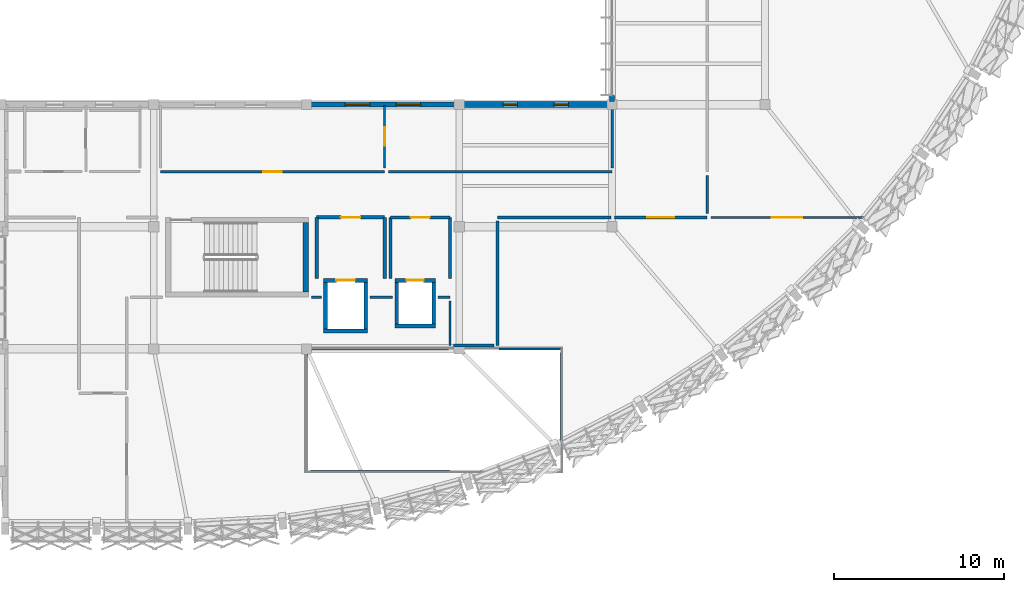
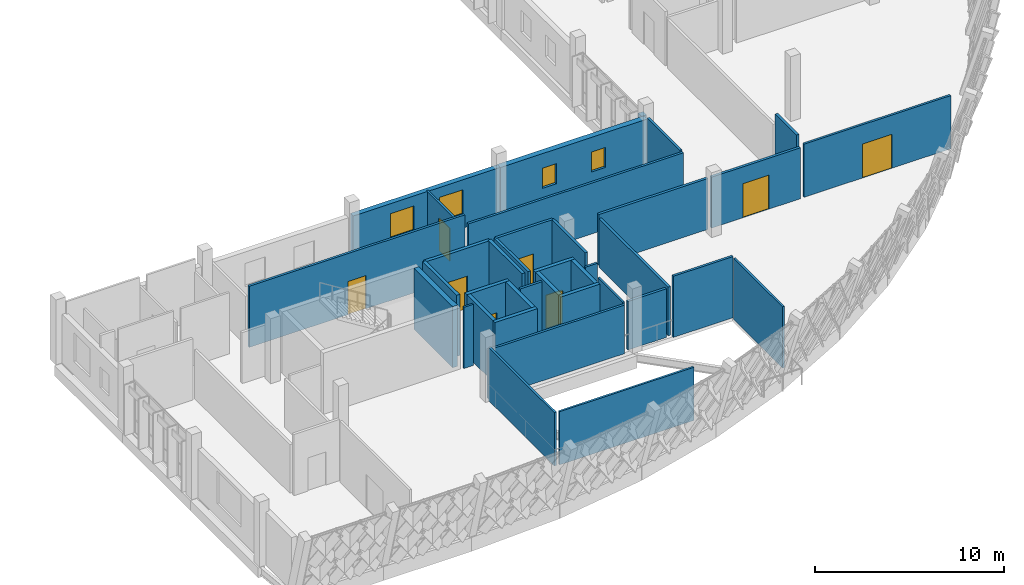
# One storey, part 96 of 107: 37 walls, 8 doors, 4 windows, 12 openings.
"""IFC4 building model written with IfcOpenShell, lengths in metres."""

import ifcopenshell
import ifcopenshell.guid

model = None  # the IFC model being written
_history = None  # IfcOwnerHistory: only IFC2X3 demands one
_inside = {}  # id of a spatial element -> (the spatial element, [elements in it])
_under = {}  # id of a project, library or spatial element -> (it, [spatial elements below it])
_declared = {}  # id of a project -> (the project, [libraries it declares])
_typed = {}  # id of a type object -> (the type object, [elements of that type])
_made_of = {}  # id of a material, layer set ... -> (it, [elements and type objects made of it])


def new_model(schema):
    """Start an empty IFC model of exactly this schema.

    Asked for "IFC4X3", IfcOpenShell would pick the latest addendum, in which some entities
    have other attributes; the version numbers below select the first issue.
    IFC2X3 requires an IfcOwnerHistory on every rooted entity: one is made here for all.
    """
    global model, _history
    if schema == "IFC4X3":
        model = ifcopenshell.file(schema_version=(4, 3, 0, 0))
    else:
        model = ifcopenshell.file(schema=schema)
    _inside.clear()
    _under.clear()
    _declared.clear()
    _typed.clear()
    _made_of.clear()
    _history = None
    if model.schema == "IFC2X3":
        org = make("IfcOrganization", Name="unknown")
        user = make(
            "IfcPersonAndOrganization",
            ThePerson=make("IfcPerson", FamilyName="unknown"),
            TheOrganization=org,
        )
        app = make(
            "IfcApplication",
            ApplicationDeveloper=org,
            Version="unknown",
            ApplicationFullName="unknown",
            ApplicationIdentifier="unknown",
        )
        _history = make(
            "IfcOwnerHistory",
            OwningUser=user,
            OwningApplication=app,
            ChangeAction="ADDED",
            CreationDate=0,
        )
    return model


def make(cls, **values):
    """One entity of the class cls with the attributes given. An attribute that is None is left unset."""
    return model.create_entity(
        cls, **{name: value for name, value in values.items() if value is not None}
    )


def rooted(cls, **values):
    """An entity with a GlobalId (a new one), such as an element, a storey or a relation."""
    return make(cls, GlobalId=ifcopenshell.guid.new(), OwnerHistory=_history, **values)


def si_unit(unit_type, name, prefix=None):
    """IfcSIUnit, for example si_unit("LENGTHUNIT", "METRE", prefix="MILLI")."""
    return make("IfcSIUnit", UnitType=unit_type, Prefix=prefix, Name=name)


def assignment(units):
    """IfcUnitAssignment: the units of a project."""
    return None if units is None else make("IfcUnitAssignment", Units=units)


def point(xyz):
    """IfcCartesianPoint."""
    return None if xyz is None else make("IfcCartesianPoint", Coordinates=xyz)


def direction(xyz):
    """IfcDirection."""
    return None if xyz is None else make("IfcDirection", DirectionRatios=xyz)


def frame(location, z_axis=None, x_axis=None):
    """IfcAxis2Placement3D, a coordinate frame: its origin and axes. An axis left out is left unset."""
    return make(
        "IfcAxis2Placement3D",
        Location=point(location),
        Axis=direction(z_axis),
        RefDirection=direction(x_axis),
    )


def frame_2d(location, x_axis=None):
    """IfcAxis2Placement2D, a coordinate frame in the plane: its origin and x axis."""
    return make(
        "IfcAxis2Placement2D", Location=point(location), RefDirection=direction(x_axis)
    )


def origin():
    """The frame at (0, 0, 0) with its axes left unset."""
    return frame((0.0, 0.0, 0.0))


def place(relative_to, where):
    """IfcLocalPlacement: puts the frame where relative to a parent placement (None: the world)."""
    return make(
        "IfcLocalPlacement", PlacementRelTo=relative_to, RelativePlacement=where
    )


def context(
    kind, dimensions, precision=None, world=None, true_north=None, identifier=None
):
    """IfcGeometricRepresentationContext, for example the 3D "Model" context."""
    return make(
        "IfcGeometricRepresentationContext",
        ContextIdentifier=identifier,
        ContextType=kind,
        CoordinateSpaceDimension=dimensions,
        Precision=precision,
        WorldCoordinateSystem=world,
        TrueNorth=true_north,
    )


def subcontext(parent, identifier, kind, view, scale=None):
    """IfcGeometricRepresentationSubContext, for example "Body" below "Model"."""
    return make(
        "IfcGeometricRepresentationSubContext",
        ContextIdentifier=identifier,
        ContextType=kind,
        ParentContext=parent,
        TargetScale=scale,
        TargetView=view,
    )


def project(units=None, contexts=None):
    """IfcProject with its units and contexts."""
    return rooted(
        "IfcProject",
        Name="project",
        RepresentationContexts=contexts,
        UnitsInContext=assignment(units),
    )


def spatial(cls, under=None, at=None, **own):
    """A site, building, storey or space (cls), placed at a placement, below another one or the project."""
    s = rooted(cls, ObjectPlacement=at, **own)
    if under is not None:
        _under.setdefault(under.id(), (under, []))[1].append(s)
    return s


def profile(cls, at=None, kind="AREA", **sizes):
    """A parametric profile (cls). Its sizes go by their IFC names, for example OverallWidth=200.0."""
    return make(cls, ProfileType=kind, Position=at, **sizes)


def rectangle(**sizes):
    """IfcRectangleProfileDef."""
    return profile("IfcRectangleProfileDef", **sizes)


def extrude(swept, where, along, depth):
    """IfcExtrudedAreaSolid: the profile swept, set in the frame where, extruded along a direction by depth."""
    return make(
        "IfcExtrudedAreaSolid",
        SweptArea=swept,
        Position=where,
        ExtrudedDirection=direction(along),
        Depth=depth,
    )


def shape(context_of_items, identifier, shape_type, items):
    """IfcShapeRepresentation: the items that make up one representation, for example the "Body"."""
    return make(
        "IfcShapeRepresentation",
        ContextOfItems=context_of_items,
        RepresentationIdentifier=identifier,
        RepresentationType=shape_type,
        Items=items,
    )


def material(Name=None, Category=None):
    """IfcMaterial."""
    return make("IfcMaterial", Name=Name, Category=Category)


def layer(
    of_material, thickness, ventilated=None, Name=None, Category=None, Priority=None
):
    """IfcMaterialLayer: one layer of a wall or slab, of a material (None: an air gap)."""
    return make(
        "IfcMaterialLayer",
        Material=of_material,
        LayerThickness=thickness,
        IsVentilated=ventilated,
        Name=Name,
        Category=Category,
        Priority=Priority,
    )


def layer_set(layers, Name=None):
    """IfcMaterialLayerSet."""
    return make("IfcMaterialLayerSet", MaterialLayers=layers, LayerSetName=Name)


def made_of(thing, what):
    """Note that an element or type object is made of a material, layer set ...; save() writes the relation."""
    if what is not None:
        _made_of.setdefault(what.id(), (what, []))[1].append(thing)
    return thing


def type_object(cls, material=None, **own):
    """A type object (cls), such as IfcWallType, which elements share."""
    return made_of(rooted(cls, **own), material)


def element(
    cls,
    number,
    at=None,
    inside=None,
    cuts=None,
    type_object=None,
    material=None,
    context=None,
    identifier="Body",
    shape_type=None,
    held_by="IfcProductDefinitionShape",
    body=None,
    shapes=None,
    **own,
):
    """One element of the class cls, such as IfcWall. Its Tag is "e" and its number.

    at: its placement. inside: the storey or other place that contains it. cuts: it is an
    opening in that element (IfcRelVoidsElement). A single representation is given by context,
    identifier, shape_type and body (its items); several are given by shapes. held_by: the class
    of the entity that holds the representations. save() writes the other relations.
    """
    e = rooted(cls, Tag="e%d" % number, ObjectPlacement=at, **own)
    if body is not None:
        shapes = [shape(context, identifier, shape_type, body)]
    if shapes is not None:
        e.Representation = make(held_by, Representations=shapes)
    if inside is not None:
        _inside.setdefault(inside.id(), (inside, []))[1].append(e)
    if cuts is not None:
        rooted(
            "IfcRelVoidsElement", RelatingBuildingElement=cuts, RelatedOpeningElement=e
        )
    if type_object is not None:
        _typed.setdefault(type_object.id(), (type_object, []))[1].append(e)
    return made_of(e, material)


def fill(opening, filler):
    """IfcRelFillsElement: the door or window that sits in an opening."""
    return rooted(
        "IfcRelFillsElement",
        RelatingOpeningElement=opening,
        RelatedBuildingElement=filler,
    )


def aggregate(whole, parts):
    """IfcRelAggregates: a whole, such as a stair, and the parts it consists of."""
    return rooted("IfcRelAggregates", RelatingObject=whole, RelatedObjects=parts)


def save(model, path):
    """Write the relations noted so far, then the file.

    IfcRelAggregates (storeys below a building ...), IfcRelContainedInSpatialStructure (elements
    in a storey), IfcRelDefinesByType, IfcRelAssociatesMaterial and IfcRelDeclares: one each for
    every whole, place, type object, material and project.
    """
    for whole, parts in _under.values():
        aggregate(whole, parts)
    for where, things in _inside.values():
        rooted(
            "IfcRelContainedInSpatialStructure",
            RelatedElements=things,
            RelatingStructure=where,
        )
    for kind, things in _typed.values():
        rooted("IfcRelDefinesByType", RelatedObjects=things, RelatingType=kind)
    for what, things in _made_of.values():
        rooted("IfcRelAssociatesMaterial", RelatedObjects=things, RelatingMaterial=what)
    for by, libraries in _declared.values():
        rooted("IfcRelDeclares", RelatingContext=by, RelatedDefinitions=libraries)
    model.write(path)


model = new_model("IFC4")

# Units and contexts
model_context = context("Model", 3, precision=1e-05, world=origin(), true_north=direction((0.0, 1.0)))
body_context = subcontext(model_context, "Body", "Model", "MODEL_VIEW")
ifc_project = project(units=[si_unit("LENGTHUNIT", "METRE"), si_unit("AREAUNIT", "SQUARE_METRE"), si_unit("VOLUMEUNIT", "CUBIC_METRE"), si_unit("PLANEANGLEUNIT", "RADIAN"), si_unit("MASSUNIT", "GRAM", prefix="KILO")], contexts=[model_context])

# Site, building, storey
site_placement = place(None, origin())
site = spatial("IfcSite", under=ifc_project, at=site_placement, CompositionType="ELEMENT")
building_placement = place(site_placement, origin())
building = spatial("IfcBuilding", under=site, at=building_placement, Name="Chiffa Square Polytechnic", CompositionType="ELEMENT")
storey_placement = place(building_placement, frame((0.0, 0.0, 13.800048828125)))
storey = spatial("IfcBuildingStorey", under=building, at=storey_placement, Name="L03", CompositionType="ELEMENT", Elevation=13.800048828125)

# Walls
ifc_material_1 = material(Name="Concrete C40/50", Category="concrete")
ifc_layer_1 = layer(ifc_material_1, 0.300048828125, Name="Concrete C40/50")
ifc_layer_set_1 = layer_set([ifc_layer_1], Name="Concrete C40/50")
wall_type_1 = type_object("IfcWallType", Name="WL-CORE-300", PredefinedType="SHEAR", material=ifc_layer_set_1)
wall_1_placement = place(storey_placement, frame((130.14990234375, 17.75, 0.0), z_axis=(0.0, 0.0, 1.0), x_axis=(0.0, 1.0, 0.0)))
element("IfcWall", 1, at=wall_1_placement, inside=storey, type_object=wall_type_1, Name="Core or enclosure wall WC-CORE-V1A-L03-EAST", PredefinedType="SHEAR", context=body_context, shape_type="SweptSolid", body=[
    extrude(rectangle(XDim=4.10009765625, YDim=0.300048828125, at=frame_2d((2.050048828125, 0.0))), origin(), (0.0, 0.0, 1.0), 3.9599609375),
])
ifc_material_2 = material(Name="Precast concrete C40/50", Category="concrete")
ifc_layer_2 = layer(ifc_material_2, 0.300048828125, Name="Precast concrete C40/50")
ifc_layer_set_2 = layer_set([ifc_layer_2], Name="Precast concrete C40/50")
wall_type_2 = type_object("IfcWallType", Name="WL-EXT-PC300", PredefinedType="SOLIDWALL", material=ifc_layer_set_2)
wall_2_placement = place(storey_placement, frame((148.199951171875, 29.340087890625, 0.0), z_axis=(0.0, 0.0, 1.0), x_axis=(0.0, -1.0, 0.0)))
element("IfcWall", 2, at=wall_2_placement, inside=storey, type_object=wall_type_2, Name="Facade column pier V1-L03-0050R", PredefinedType="SOLIDWALL", context=body_context, shape_type="SweptSolid", body=[
    extrude(rectangle(XDim=0.3681640625, YDim=0.300048828125, at=frame_2d((0.18408203125, 0.0))), origin(), (0.0, 0.0, 1.0), 3.14501953125),
])

# Wall, openings, windows
wall_3_placement = place(storey_placement, frame((139.199951171875, 28.800048828125, 0.0), z_axis=(0.0, 0.0, 1.0), x_axis=(-1.0, 0.0, 0.0)))
wall_3 = element("IfcWall", 3, at=wall_3_placement, inside=storey, type_object=wall_type_2, Name="Exterior wall WE-V1-L03-0052", PredefinedType="SOLIDWALL", context=body_context, shape_type="SweptSolid", body=[
    extrude(rectangle(XDim=9.0, YDim=0.300048828125, at=frame_2d((4.5, 0.0))), origin(), (0.0, 0.0, 1.0), 3.14501953125),
])
opening_1_placement = place(wall_3_placement, frame((2.27490234375, 0.0, 0.89990234375)))
opening_1 = element("IfcOpeningElement", 4, at=opening_1_placement, cuts=wall_3, Name="Opening W-16", PredefinedType="OPENING", context=body_context, shape_type="SweptSolid", body=[
    extrude(rectangle(XDim=1.449951171875, YDim=1.60009765625, at=frame_2d((0.72509765625, 0.800048828125))), frame((0.0, 0.16015625, 0.0), z_axis=(0.0, -1.0, 0.0), x_axis=(1.0, 0.0, 0.0)), (0.0, 0.0, 1.0), 0.320068359375),
])
opening_2_placement = place(wall_3_placement, frame((5.27490234375, 0.0, 0.89990234375)))
opening_2 = element("IfcOpeningElement", 5, at=opening_2_placement, cuts=wall_3, Name="Opening W-16", PredefinedType="OPENING", context=body_context, shape_type="SweptSolid", body=[
    extrude(rectangle(XDim=1.449951171875, YDim=1.60009765625, at=frame_2d((0.72509765625, 0.800048828125))), frame((0.0, 0.16015625, 0.0), z_axis=(0.0, -1.0, 0.0), x_axis=(1.0, 0.0, 0.0)), (0.0, 0.0, 1.0), 0.320068359375),
])
ifc_material_3 = material(Name="Double glazing in thermally broken aluminium frame", Category="aluminium")
window_type_1 = type_object("IfcWindowType", Name="WIN-OFF-1450X1600", PartitioningType="DOUBLE_PANEL_VERTICAL", PredefinedType="WINDOW", material=ifc_material_3)
window_1_placement = place(opening_1_placement, origin())
window_1 = element("IfcWindow", 6, at=window_1_placement, inside=storey, type_object=window_type_1, Name="Facade window WN-L03-0049", OverallHeight=1.60009765625, OverallWidth=1.449951171875, PartitioningType="DOUBLE_PANEL_VERTICAL", PredefinedType="WINDOW", context=body_context, shape_type="SweptSolid", body=[
    extrude(rectangle(XDim=1.449951171875, YDim=1.60009765625, at=frame_2d((0.72509765625, 0.800048828125))), frame((0.0, 0.030029296875, 0.0), z_axis=(0.0, -1.0, 0.0), x_axis=(1.0, 0.0, 0.0)), (0.0, 0.0, 1.0), 0.06005859375),
])
fill(opening_1, window_1)
window_2_placement = place(opening_2_placement, origin())
window_2 = element("IfcWindow", 7, at=window_2_placement, inside=storey, type_object=window_type_1, Name="Facade window WN-L03-0050", OverallHeight=1.60009765625, OverallWidth=1.449951171875, PartitioningType="DOUBLE_PANEL_VERTICAL", PredefinedType="WINDOW", context=body_context, shape_type="SweptSolid", body=[
    extrude(rectangle(XDim=1.449951171875, YDim=1.60009765625, at=frame_2d((0.72509765625, 0.800048828125))), frame((0.0, 0.030029296875, 0.0), z_axis=(0.0, -1.0, 0.0), x_axis=(1.0, 0.0, 0.0)), (0.0, 0.0, 1.0), 0.06005859375),
])
fill(opening_2, window_2)

ifc_layer_3 = layer(ifc_material_2, 0.340087890625, Name="Precast concrete C40/50")
ifc_layer_set_3 = layer_set([ifc_layer_3], Name="Precast concrete C40/50")
wall_type_3 = type_object("IfcWallType", Name="WL-EXT-PC340", PredefinedType="SOLIDWALL", material=ifc_layer_set_3)
wall_4_placement = place(storey_placement, frame((148.199951171875, 28.800048828125, 0.0), z_axis=(0.0, 0.0, 1.0), x_axis=(-1.0, 0.0, 0.0)))
wall_4 = element("IfcWall", 8, at=wall_4_placement, inside=storey, type_object=wall_type_3, Name="Exterior wall WE-V1-L03-0051", PredefinedType="SOLIDWALL", context=body_context, shape_type="SweptSolid", body=[
    extrude(rectangle(XDim=9.0, YDim=0.340087890625, at=frame_2d((4.5, 0.0))), origin(), (0.0, 0.0, 1.0), 3.14501953125),
])
opening_3_placement = place(wall_4_placement, frame((2.574951171875, 0.0, 0.89990234375)))
opening_3 = element("IfcOpeningElement", 9, at=opening_3_placement, cuts=wall_4, Name="Opening W-22", PredefinedType="OPENING", context=body_context, shape_type="SweptSolid", body=[
    extrude(rectangle(XDim=0.85009765625, YDim=1.300048828125, at=frame_2d((0.425048828125, 0.64990234375))), frame((0.0, 0.18017578125, 0.0), z_axis=(0.0, -1.0, 0.0), x_axis=(1.0, 0.0, 0.0)), (0.0, 0.0, 1.0), 0.360107421875),
])
opening_4_placement = place(wall_4_placement, frame((5.574951171875, 0.0, 0.89990234375)))
opening_4 = element("IfcOpeningElement", 10, at=opening_4_placement, cuts=wall_4, Name="Opening W-22", PredefinedType="OPENING", context=body_context, shape_type="SweptSolid", body=[
    extrude(rectangle(XDim=0.85009765625, YDim=1.300048828125, at=frame_2d((0.425048828125, 0.64990234375))), frame((0.0, 0.18017578125, 0.0), z_axis=(0.0, -1.0, 0.0), x_axis=(1.0, 0.0, 0.0)), (0.0, 0.0, 1.0), 0.360107421875),
])
window_type_2 = type_object("IfcWindowType", Name="WIN-OFF-0850X1300", PartitioningType="DOUBLE_PANEL_VERTICAL", PredefinedType="WINDOW", material=ifc_material_3)
window_3_placement = place(opening_3_placement, origin())
window_3 = element("IfcWindow", 11, at=window_3_placement, inside=storey, type_object=window_type_2, Name="Facade window WN-L03-0047", OverallHeight=1.300048828125, OverallWidth=0.85009765625, PartitioningType="DOUBLE_PANEL_VERTICAL", PredefinedType="WINDOW", context=body_context, shape_type="SweptSolid", body=[
    extrude(rectangle(XDim=0.85009765625, YDim=1.300048828125, at=frame_2d((0.425048828125, 0.64990234375))), frame((0.0, 0.030029296875, 0.0), z_axis=(0.0, -1.0, 0.0), x_axis=(1.0, 0.0, 0.0)), (0.0, 0.0, 1.0), 0.06005859375),
])
fill(opening_3, window_3)
window_4_placement = place(opening_4_placement, origin())
window_4 = element("IfcWindow", 12, at=window_4_placement, inside=storey, type_object=window_type_2, Name="Facade window WN-L03-0048", OverallHeight=1.300048828125, OverallWidth=0.85009765625, PartitioningType="DOUBLE_PANEL_VERTICAL", PredefinedType="WINDOW", context=body_context, shape_type="SweptSolid", body=[
    extrude(rectangle(XDim=0.85009765625, YDim=1.300048828125, at=frame_2d((0.425048828125, 0.64990234375))), frame((0.0, 0.030029296875, 0.0), z_axis=(0.0, -1.0, 0.0), x_axis=(1.0, 0.0, 0.0)), (0.0, 0.0, 1.0), 0.06005859375),
])
fill(opening_4, window_4)

# Wall, opening, door
ifc_material_4 = material(Name="Gypsum board on steel stud", Category="steel")
ifc_layer_4 = layer(ifc_material_4, 0.125, Name="Gypsum board on steel stud")
ifc_layer_set_4 = layer_set([ifc_layer_4], Name="Gypsum board on steel stud")
wall_type_4 = type_object("IfcWallType", Name="WL-PART-125", PredefinedType="PARTITIONING", material=ifc_layer_set_4)
wall_5_placement = place(storey_placement, frame((134.800048828125, 25.070068359375, 0.0), z_axis=(0.0, 0.0, 1.0), x_axis=(0.0, 1.0, 0.0)))
wall_5 = element("IfcWall", 13, at=wall_5_placement, inside=storey, type_object=wall_type_4, Name="Interior partition WP-V1-L03-0527", PredefinedType="PARTITIONING", context=body_context, shape_type="SweptSolid", body=[
    extrude(rectangle(XDim=3.675048828125, YDim=0.125, at=frame_2d((1.83740234375, 0.0))), origin(), (0.0, 0.0, 1.0), 3.14501953125),
])
opening_5_placement = place(wall_5_placement, frame((1.2880859375, 0.0, 0.0)))
opening_5 = element("IfcOpeningElement", 14, at=opening_5_placement, cuts=wall_5, Name="Opening DI-L03-197", PredefinedType="OPENING", context=body_context, shape_type="SweptSolid", body=[
    extrude(rectangle(XDim=1.10009765625, YDim=2.14990234375, at=frame_2d((0.550048828125, 1.074951171875))), frame((0.0, 0.072509765625, 0.0), z_axis=(0.0, -1.0, 0.0), x_axis=(1.0, 0.0, 0.0)), (0.0, 0.0, 1.0), 0.14501953125),
])
ifc_material_5 = material(Name="Solid core ash veneer door")
door_type_1 = type_object("IfcDoorType", Name="DR-INT-1100", OperationType="NOTDEFINED", PredefinedType="DOOR", material=ifc_material_5)
door_1_placement = place(opening_5_placement, origin())
door_1 = element("IfcDoor", 15, at=door_1_placement, inside=storey, type_object=door_type_1, Name="Interior room door DI-L03-197", OperationType="SINGLE_SWING_LEFT", OverallHeight=2.14990234375, OverallWidth=1.10009765625, PredefinedType="DOOR", context=body_context, shape_type="SweptSolid", body=[
    extrude(rectangle(XDim=1.10009765625, YDim=2.14990234375, at=frame_2d((0.550048828125, 1.074951171875))), frame((0.0, 0.02490234375, 0.0), z_axis=(0.0, -1.0, 0.0), x_axis=(1.0, 0.0, 0.0)), (0.0, 0.0, 1.0), 0.050048828125),
])
fill(opening_5, door_1)

# Walls
wall_6_placement = place(storey_placement, frame((145.199951171875, 8.989990234375, 0.0), z_axis=(0.0, 0.0, 1.0), x_axis=(0.0, 1.0, 0.0)))
element("IfcWall", 16, at=wall_6_placement, inside=storey, type_object=wall_type_4, Name="Interior partition WP-V1-L03-0545", PredefinedType="PARTITIONING", context=body_context, shape_type="SweptSolid", body=[
    extrude(rectangle(XDim=5.18994140625, YDim=0.125, at=frame_2d((2.594970703125, 0.0))), origin(), (0.0, 0.0, 1.0), 3.9599609375),
])
wall_7_placement = place(storey_placement, frame((130.487060546875, 17.449951171875, 0.0), z_axis=(0.0, 0.0, 1.0), x_axis=(1.0, 0.0, 0.0)))
element("IfcWall", 17, at=wall_7_placement, inside=storey, type_object=wall_type_4, Name="Interior partition WP-V1-L03-0548", PredefinedType="PARTITIONING", context=body_context, shape_type="SweptSolid", body=[
    extrude(rectangle(XDim=0.5830078125, YDim=0.125, at=frame_2d((0.29150390625, 0.0))), origin(), (0.0, 0.0, 1.0), 3.9599609375),
])
wall_8_placement = place(storey_placement, frame((138.64990234375, 14.60009765625, 0.0), z_axis=(0.0, 0.0, 1.0), x_axis=(0.0, 1.0, 0.0)))
element("IfcWall", 18, at=wall_8_placement, inside=storey, type_object=wall_type_4, Name="Interior partition WP-V1-L03-0551", PredefinedType="PARTITIONING", context=body_context, shape_type="SweptSolid", body=[
    extrude(rectangle(XDim=2.6298828125, YDim=0.125, at=frame_2d((1.31494140625, 0.0))), origin(), (0.0, 0.0, 1.0), 3.14501953125),
])
wall_9_placement = place(storey_placement, frame((130.419921875, 7.199951171875, 0.0), z_axis=(0.0, 0.0, 1.0), x_axis=(1.0, 0.0, 0.0)))
element("IfcWall", 19, at=wall_9_placement, inside=storey, type_object=wall_type_4, Name="Interior partition WP-V1-L03-0554", PredefinedType="PARTITIONING", context=body_context, shape_type="SweptSolid", body=[
    extrude(rectangle(XDim=8.22998046875, YDim=0.125, at=frame_2d((4.114990234375, 0.0))), origin(), (0.0, 0.0, 1.0), 3.445068359375),
])
ifc_layer_5 = layer(ifc_material_4, 0.135009765625, Name="Gypsum board on steel stud")
ifc_layer_set_5 = layer_set([ifc_layer_5], Name="Gypsum board on steel stud")
wall_type_5 = type_object("IfcWallType", Name="WL-PART-135", PredefinedType="PARTITIONING", material=ifc_layer_set_5)
wall_10_placement = place(storey_placement, frame((148.199951171875, 25.070068359375, 0.0), z_axis=(0.0, 0.0, 1.0), x_axis=(0.0, 1.0, 0.0)))
element("IfcWall", 20, at=wall_10_placement, inside=storey, type_object=wall_type_5, Name="Interior partition WP-V1-L03-0529", PredefinedType="PARTITIONING", context=body_context, shape_type="SweptSolid", body=[
    extrude(rectangle(XDim=3.489990234375, YDim=0.135009765625, at=frame_2d((1.7451171875, 0.0))), origin(), (0.0, 0.0, 1.0), 3.294921875),
])

# Wall, opening, door
wall_11_placement = place(storey_placement, frame((154.02001953125, 22.14990234375, 0.0), z_axis=(0.0, 0.0, 1.0), x_axis=(1.0, 0.0, 0.0)))
wall_11 = element("IfcWall", 21, at=wall_11_placement, inside=storey, type_object=wall_type_5, Name="Interior partition WP-V1-L03-0544", PredefinedType="PARTITIONING", context=body_context, shape_type="SweptSolid", body=[
    extrude(rectangle(XDim=8.98486328125, YDim=0.135009765625, at=frame_2d((4.492431640625, 0.0))), origin(), (0.0, 0.0, 1.0), 3.445068359375),
])
opening_6_placement = place(wall_11_placement, frame((3.592041015625, 0.0, 0.0)))
opening_6 = element("IfcOpeningElement", 22, at=opening_6_placement, cuts=wall_11, Name="Opening DI-L03-204", PredefinedType="OPENING", context=body_context, shape_type="SweptSolid", body=[
    extrude(rectangle(XDim=1.800048828125, YDim=2.199951171875, at=frame_2d((0.89990234375, 1.10009765625))), frame((0.0, 0.07763671875, 0.0), z_axis=(0.0, -1.0, 0.0), x_axis=(1.0, 0.0, 0.0)), (0.0, 0.0, 1.0), 0.155029296875),
])
ifc_material_6 = material(Name="Solid oak fire door pair")
door_type_2 = type_object("IfcDoorType", Name="DR-CORR-DBL-1800", OperationType="DOUBLE_DOOR_SINGLE_SWING", PredefinedType="DOOR", material=ifc_material_6)
door_2_placement = place(opening_6_placement, origin())
door_2 = element("IfcDoor", 23, at=door_2_placement, inside=storey, type_object=door_type_2, Name="Interior room door DI-L03-204", OperationType="DOUBLE_DOOR_SINGLE_SWING", OverallHeight=2.199951171875, OverallWidth=1.800048828125, PredefinedType="DOOR", context=body_context, shape_type="SweptSolid", body=[
    extrude(rectangle(XDim=1.800048828125, YDim=2.199951171875, at=frame_2d((0.89990234375, 1.10009765625))), frame((0.0, 0.02490234375, 0.0), z_axis=(0.0, -1.0, 0.0), x_axis=(1.0, 0.0, 0.0)), (0.0, 0.0, 1.0), 0.050048828125),
])
fill(opening_6, door_2)

# Walls
wall_12_placement = place(storey_placement, frame((137.929931640625, 17.449951171875, 0.0), z_axis=(0.0, 0.0, 1.0), x_axis=(1.0, 0.0, 0.0)))
element("IfcWall", 24, at=wall_12_placement, inside=storey, type_object=wall_type_5, Name="Interior partition WP-V1-L03-0550", PredefinedType="PARTITIONING", context=body_context, shape_type="SweptSolid", body=[
    extrude(rectangle(XDim=0.719970703125, YDim=0.135009765625, at=frame_2d((0.35986328125, 0.0))), origin(), (0.0, 0.0, 1.0), 3.9599609375),
])
wall_13_placement = place(storey_placement, frame((130.199951171875, 7.199951171875, 0.0), z_axis=(0.0, 0.0, 1.0), x_axis=(0.0, 1.0, 0.0)))
element("IfcWall", 25, at=wall_13_placement, inside=storey, type_object=wall_type_5, Name="Interior partition WP-V1-L03-0553", PredefinedType="PARTITIONING", context=body_context, shape_type="SweptSolid", body=[
    extrude(rectangle(XDim=6.97998046875, YDim=0.135009765625, at=frame_2d((3.489990234375, 0.0))), origin(), (0.0, 0.0, 1.0), 3.445068359375),
])

# Wall, opening, door
ifc_layer_6 = layer(ifc_material_4, 0.14501953125, Name="Gypsum board on steel stud")
ifc_layer_set_6 = layer_set([ifc_layer_6], Name="Gypsum board on steel stud")
wall_type_6 = type_object("IfcWallType", Name="WL-PART-145", PredefinedType="PARTITIONING", material=ifc_layer_set_6)
wall_14_placement = place(storey_placement, frame((121.60009765625, 24.85009765625, 0.0), z_axis=(0.0, 0.0, 1.0), x_axis=(1.0, 0.0, 0.0)))
wall_14 = element("IfcWall", 26, at=wall_14_placement, inside=storey, type_object=wall_type_6, Name="Interior partition WP-V1-L03-0525", PredefinedType="PARTITIONING", context=body_context, shape_type="SweptSolid", body=[
    extrude(rectangle(XDim=13.199951171875, YDim=0.14501953125, at=frame_2d((6.60009765625, 0.0))), origin(), (0.0, 0.0, 1.0), 3.9599609375),
])
opening_7_placement = place(wall_14_placement, frame((6.050048828125, 0.0, 0.0)))
opening_7 = element("IfcOpeningElement", 27, at=opening_7_placement, cuts=wall_14, Name="Opening DI-L03-196", PredefinedType="OPENING", context=body_context, shape_type="SweptSolid", body=[
    extrude(rectangle(XDim=1.10009765625, YDim=2.14990234375, at=frame_2d((0.550048828125, 1.074951171875))), frame((0.0, 0.08251953125, 0.0), z_axis=(0.0, -1.0, 0.0), x_axis=(1.0, 0.0, 0.0)), (0.0, 0.0, 1.0), 0.1650390625),
])
door_3_placement = place(opening_7_placement, origin())
door_3 = element("IfcDoor", 28, at=door_3_placement, inside=storey, type_object=door_type_1, Name="Interior room door DI-L03-196", OperationType="SINGLE_SWING_RIGHT", OverallHeight=2.14990234375, OverallWidth=1.10009765625, PredefinedType="DOOR", context=body_context, shape_type="SweptSolid", body=[
    extrude(rectangle(XDim=1.10009765625, YDim=2.14990234375, at=frame_2d((0.550048828125, 1.074951171875))), frame((0.0, 0.02490234375, 0.0), z_axis=(0.0, -1.0, 0.0), x_axis=(1.0, 0.0, 0.0)), (0.0, 0.0, 1.0), 0.050048828125),
])
fill(opening_7, door_3)

# Walls
wall_15_placement = place(storey_placement, frame((135.02001953125, 24.85009765625, 0.0), z_axis=(0.0, 0.0, 1.0), x_axis=(1.0, 0.0, 0.0)))
element("IfcWall", 29, at=wall_15_placement, inside=storey, type_object=wall_type_6, Name="Interior partition WP-V1-L03-0528", PredefinedType="PARTITIONING", context=body_context, shape_type="SweptSolid", body=[
    extrude(rectangle(XDim=13.179931640625, YDim=0.14501953125, at=frame_2d((6.58984375, 0.0))), origin(), (0.0, 0.0, 1.0), 3.294921875),
])
wall_16_placement = place(storey_placement, frame((141.541015625, 14.39990234375, 0.0), z_axis=(0.0, 0.0, 1.0), x_axis=(1.0, 0.0, 0.0)))
element("IfcWall", 30, at=wall_16_placement, inside=storey, type_object=wall_type_6, Name="Interior partition WP-V1-L03-0543", PredefinedType="PARTITIONING", context=body_context, shape_type="SweptSolid", body=[
    extrude(rectangle(XDim=3.658935546875, YDim=0.14501953125, at=frame_2d((1.82958984375, 0.0))), origin(), (0.0, 0.0, 1.0), 3.9599609375),
])
wall_17_placement = place(storey_placement, frame((133.929931640625, 17.449951171875, 0.0), z_axis=(0.0, 0.0, 1.0), x_axis=(1.0, 0.0, 0.0)))
element("IfcWall", 31, at=wall_17_placement, inside=storey, type_object=wall_type_6, Name="Interior partition WP-V1-L03-0549", PredefinedType="PARTITIONING", context=body_context, shape_type="SweptSolid", body=[
    extrude(rectangle(XDim=1.340087890625, YDim=0.14501953125, at=frame_2d((0.669921875, 0.0))), origin(), (0.0, 0.0, 1.0), 3.9599609375),
])
wall_18_placement = place(storey_placement, frame((130.199951171875, 14.39990234375, 0.0), z_axis=(0.0, 0.0, 1.0), x_axis=(1.0, 0.0, 0.0)))
element("IfcWall", 32, at=wall_18_placement, inside=storey, type_object=wall_type_6, Name="Interior partition WP-V1-L03-0552", PredefinedType="PARTITIONING", context=body_context, shape_type="SweptSolid", body=[
    extrude(rectangle(XDim=8.359130859375, YDim=0.14501953125, at=frame_2d((4.1796875, 0.0))), origin(), (0.0, 0.0, 1.0), 3.14501953125),
])

# Wall, opening, door
ifc_material_7 = material(Name="Autoclaved aerated concrete blockwork", Category="masonry")
ifc_layer_7 = layer(ifc_material_7, 0.199951171875, Name="Autoclaved aerated concrete blockwork")
ifc_layer_set_7 = layer_set([ifc_layer_7], Name="Autoclaved aerated concrete blockwork")
wall_type_7 = type_object("IfcWallType", Name="WL-PART-EI120-200", PredefinedType="PARTITIONING", material=ifc_layer_set_7)
wall_19_placement = place(storey_placement, frame((130.800048828125, 22.14990234375, 0.0), z_axis=(0.0, 0.0, 1.0), x_axis=(1.0, 0.0, 0.0)))
wall_19 = element("IfcWall", 33, at=wall_19_placement, inside=storey, type_object=wall_type_7, Name="Lift lobby rated enclosure WP-LOB-LF-V1-L03-NORTH", PredefinedType="PARTITIONING", context=body_context, shape_type="SweptSolid", body=[
    extrude(rectangle(XDim=4.0, YDim=0.199951171875, at=frame_2d((2.0, 0.0))), origin(), (0.0, 0.0, 1.0), 3.9599609375),
])
opening_8_placement = place(wall_19_placement, frame((1.425048828125, 0.0, 0.0)))
opening_8 = element("IfcOpeningElement", 34, at=opening_8_placement, cuts=wall_19, Name="Opening DI-L03-005", PredefinedType="OPENING", context=body_context, shape_type="SweptSolid", body=[
    extrude(rectangle(XDim=1.14990234375, YDim=2.14990234375, at=frame_2d((0.574951171875, 1.074951171875))), frame((0.0, 0.10986328125, 0.0), z_axis=(0.0, -1.0, 0.0), x_axis=(1.0, 0.0, 0.0)), (0.0, 0.0, 1.0), 0.219970703125),
])
ifc_material_8 = material(Name="Fire-rated steel door leaf", Category="steel")
door_type_3 = type_object("IfcDoorType", Name="DR-LOBBY-FD120", OperationType="NOTDEFINED", PredefinedType="DOOR", material=ifc_material_8)
door_4_placement = place(opening_8_placement, origin())
door_4 = element("IfcDoor", 35, at=door_4_placement, inside=storey, type_object=door_type_3, Name="Lift lobby fire door DI-L03-005", OperationType="SINGLE_SWING_RIGHT", OverallHeight=2.14990234375, OverallWidth=1.14990234375, PredefinedType="DOOR", context=body_context, shape_type="SweptSolid", body=[
    extrude(rectangle(XDim=1.14990234375, YDim=2.14990234375, at=frame_2d((0.574951171875, 1.074951171875))), frame((0.0, 0.02490234375, 0.0), z_axis=(0.0, -1.0, 0.0), x_axis=(1.0, 0.0, 0.0)), (0.0, 0.0, 1.0), 0.050048828125),
])
fill(opening_8, door_4)

# Walls
for number, where, z_axis, x_axis, name in (
    (36, (130.800048828125, 18.550048828125, 0.0), (0.0, 0.0, 1.0), (0.0, 1.0, 0.0), "Lift lobby rated enclosure WP-LOB-LF-V1-L03-WEST"),
    (37, (134.800048828125, 18.550048828125, 0.0), (0.0, 0.0, 1.0), (0.0, 1.0, 0.0), "Lift lobby rated enclosure WP-LOB-LF-V1-L03-EAST"),
):
    element("IfcWall", number, at=place(storey_placement, frame(where, z_axis=z_axis, x_axis=x_axis)), inside=storey, type_object=wall_type_7, Name=name, PredefinedType="PARTITIONING", context=body_context, shape_type="SweptSolid", body=[
        extrude(rectangle(XDim=3.599853515625, YDim=0.199951171875, at=frame_2d((1.7998046875, 0.0))), origin(), (0.0, 0.0, 1.0), 3.9599609375),
    ])

# Wall, opening, door
ifc_material_9 = material(Name="Gypsum board on acoustic steel stud", Category="steel")
ifc_layer_8 = layer(ifc_material_9, 0.159912109375, Name="Gypsum board on acoustic steel stud")
ifc_layer_set_8 = layer_set([ifc_layer_8], Name="Gypsum board on acoustic steel stud")
wall_type_8 = type_object("IfcWallType", Name="WL-PART-EI60-160", PredefinedType="PARTITIONING", material=ifc_layer_set_8)
wall_20_placement = place(storey_placement, frame((135.14990234375, 22.14990234375, 0.0), z_axis=(0.0, 0.0, 1.0), x_axis=(1.0, 0.0, 0.0)))
wall_20 = element("IfcWall", 38, at=wall_20_placement, inside=storey, type_object=wall_type_8, Name="Lift lobby rated enclosure WP-LOB-LP-V1A-L03-NORTH", PredefinedType="PARTITIONING", context=body_context, shape_type="SweptSolid", body=[
    extrude(rectangle(XDim=3.5, YDim=0.159912109375, at=frame_2d((1.75, 0.0))), origin(), (0.0, 0.0, 1.0), 3.9599609375),
])
opening_9_placement = place(wall_20_placement, frame((1.199951171875, 0.0, 0.0)))
opening_9 = element("IfcOpeningElement", 39, at=opening_9_placement, cuts=wall_20, Name="Opening DI-L03-013", PredefinedType="OPENING", context=body_context, shape_type="SweptSolid", body=[
    extrude(rectangle(XDim=1.10009765625, YDim=2.14990234375, at=frame_2d((0.550048828125, 1.074951171875))), frame((0.0, 0.08984375, 0.0), z_axis=(0.0, -1.0, 0.0), x_axis=(1.0, 0.0, 0.0)), (0.0, 0.0, 1.0), 0.179931640625),
])
door_5_placement = place(opening_9_placement, origin())
door_5 = element("IfcDoor", 40, at=door_5_placement, inside=storey, type_object=door_type_1, Name="Lift lobby fire door DI-L03-013", OperationType="SINGLE_SWING_RIGHT", OverallHeight=2.14990234375, OverallWidth=1.10009765625, PredefinedType="DOOR", context=body_context, shape_type="SweptSolid", body=[
    extrude(rectangle(XDim=1.10009765625, YDim=2.14990234375, at=frame_2d((0.550048828125, 1.074951171875))), frame((0.0, 0.02490234375, 0.0), z_axis=(0.0, -1.0, 0.0), x_axis=(1.0, 0.0, 0.0)), (0.0, 0.0, 1.0), 0.050048828125),
])
fill(opening_9, door_5)

# Walls
for number, where, z_axis, x_axis, name in (
    (41, (135.14990234375, 18.550048828125, 0.0), (0.0, 0.0, 1.0), (0.0, 1.0, 0.0), "Lift lobby rated enclosure WP-LOB-LP-V1A-L03-WEST"),
    (42, (138.64990234375, 18.550048828125, 0.0), (0.0, 0.0, 1.0), (0.0, 1.0, 0.0), "Lift lobby rated enclosure WP-LOB-LP-V1A-L03-EAST"),
):
    element("IfcWall", number, at=place(storey_placement, frame(where, z_axis=z_axis, x_axis=x_axis)), inside=storey, type_object=wall_type_8, Name=name, PredefinedType="PARTITIONING", context=body_context, shape_type="SweptSolid", body=[
        extrude(rectangle(XDim=3.599853515625, YDim=0.159912109375, at=frame_2d((1.7998046875, 0.0))), origin(), (0.0, 0.0, 1.0), 3.9599609375),
    ])

# Wall, opening, door
wall_21_placement = place(storey_placement, frame((148.35009765625, 22.14990234375, 0.0), z_axis=(0.0, 0.0, 1.0), x_axis=(1.0, 0.0, 0.0)))
wall_21 = element("IfcWall", 43, at=wall_21_placement, inside=storey, type_object=wall_type_8, Name="Interior partition WP-V1-L03-0540", PredefinedType="PARTITIONING", context=body_context, shape_type="SweptSolid", body=[
    extrude(rectangle(XDim=5.449951171875, YDim=0.159912109375, at=frame_2d((2.72509765625, 0.0))), origin(), (0.0, 0.0, 1.0), 3.294921875),
])
opening_10_placement = place(wall_21_placement, frame((1.925048828125, 0.0, 0.0)))
opening_10 = element("IfcOpeningElement", 44, at=opening_10_placement, cuts=wall_21, Name="Opening DI-L03-203", PredefinedType="OPENING", context=body_context, shape_type="SweptSolid", body=[
    extrude(rectangle(XDim=1.60009765625, YDim=2.199951171875, at=frame_2d((0.800048828125, 1.10009765625))), frame((0.0, 0.08984375, 0.0), z_axis=(0.0, -1.0, 0.0), x_axis=(1.0, 0.0, 0.0)), (0.0, 0.0, 1.0), 0.179931640625),
])
ifc_material_10 = material(Name="Vision-panel timber laboratory door", Category="wood")
door_type_4 = type_object("IfcDoorType", Name="DR-LAB-DBL-1600", OperationType="DOUBLE_DOOR_SINGLE_SWING", PredefinedType="DOOR", material=ifc_material_10)
door_6_placement = place(opening_10_placement, origin())
door_6 = element("IfcDoor", 45, at=door_6_placement, inside=storey, type_object=door_type_4, Name="Interior room door DI-L03-203", OperationType="DOUBLE_DOOR_SINGLE_SWING", OverallHeight=2.199951171875, OverallWidth=1.60009765625, PredefinedType="DOOR", context=body_context, shape_type="SweptSolid", body=[
    extrude(rectangle(XDim=1.60009765625, YDim=2.199951171875, at=frame_2d((0.800048828125, 1.10009765625))), frame((0.0, 0.02490234375, 0.0), z_axis=(0.0, -1.0, 0.0), x_axis=(1.0, 0.0, 0.0)), (0.0, 0.0, 1.0), 0.050048828125),
])
fill(opening_10, door_6)

# Walls
wall_22_placement = place(storey_placement, frame((141.449951171875, 22.14990234375, 0.0), z_axis=(0.0, 0.0, 1.0), x_axis=(1.0, 0.0, 0.0)))
element("IfcWall", 46, at=wall_22_placement, inside=storey, type_object=wall_type_8, Name="Interior partition WP-V1-L03-0541", PredefinedType="PARTITIONING", context=body_context, shape_type="SweptSolid", body=[
    extrude(rectangle(XDim=6.679931640625, YDim=0.159912109375, at=frame_2d((3.33984375, 0.0))), origin(), (0.0, 0.0, 1.0), 3.294921875),
])
wall_23_placement = place(storey_placement, frame((141.449951171875, 14.60009765625, 0.0), z_axis=(0.0, 0.0, 1.0), x_axis=(0.0, 1.0, 0.0)))
element("IfcWall", 47, at=wall_23_placement, inside=storey, type_object=wall_type_8, Name="Interior partition WP-V1-L03-0542", PredefinedType="PARTITIONING", context=body_context, shape_type="SweptSolid", body=[
    extrude(rectangle(XDim=7.329833984375, YDim=0.159912109375, at=frame_2d((3.6650390625, 0.0))), origin(), (0.0, 0.0, 1.0), 3.14501953125),
])
wall_24_placement = place(storey_placement, frame((153.800048828125, 22.3701171875, 0.0), z_axis=(0.0, 0.0, 1.0), x_axis=(0.0, 1.0, 0.0)))
element("IfcWall", 48, at=wall_24_placement, inside=storey, type_object=wall_type_8, Name="Interior partition WP-V1-L03-0557", PredefinedType="PARTITIONING", context=body_context, shape_type="SweptSolid", body=[
    extrude(rectangle(XDim=2.259765625, YDim=0.159912109375, at=frame_2d((1.1298828125, 0.0))), origin(), (0.0, 0.0, 1.0), 3.9599609375),
])
wall_25_placement = place(storey_placement, frame((138.8701171875, 14.60009765625, 0.0), z_axis=(0.0, 0.0, 1.0), x_axis=(1.0, 0.0, 0.0)))
element("IfcWall", 49, at=wall_25_placement, inside=storey, type_object=wall_type_8, Name="Interior partition WP-V1-L03-0592", PredefinedType="PARTITIONING", context=body_context, shape_type="SweptSolid", body=[
    extrude(rectangle(XDim=2.35986328125, YDim=0.159912109375, at=frame_2d((1.179931640625, 0.0))), origin(), (0.0, 0.0, 1.0), 3.14501953125),
])
ifc_material_11 = material(Name="Concrete C35/45", Category="concrete")
ifc_layer_9 = layer(ifc_material_11, 0.219970703125, Name="Concrete C35/45")
ifc_layer_set_9 = layer_set([ifc_layer_9], Name="Concrete C35/45")
wall_type_9 = type_object("IfcWallType", Name="WL-SHAFT-220", PredefinedType="SHEAR", material=ifc_layer_set_9)
wall_26_placement = place(storey_placement, frame((131.199951171875, 15.4599609375, 0.0), z_axis=(0.0, 0.0, 1.0), x_axis=(1.0, 0.0, 0.0)))
element("IfcWall", 50, at=wall_26_placement, inside=storey, type_object=wall_type_9, Name="Core or enclosure wall WS-LF-V1-L03-SOUTH", PredefinedType="SHEAR", context=body_context, shape_type="SweptSolid", body=[
    extrude(rectangle(XDim=2.60009765625, YDim=0.219970703125, at=frame_2d((1.300048828125, 0.0))), origin(), (0.0, 0.0, 1.0), 3.9599609375),
])

# Wall, opening, door
wall_27_placement = place(storey_placement, frame((131.199951171875, 18.43994140625, 0.0), z_axis=(0.0, 0.0, 1.0), x_axis=(1.0, 0.0, 0.0)))
wall_27 = element("IfcWall", 51, at=wall_27_placement, inside=storey, type_object=wall_type_9, Name="Core or enclosure wall WS-LF-V1-L03-NORTH", PredefinedType="SHEAR", context=body_context, shape_type="SweptSolid", body=[
    extrude(rectangle(XDim=2.60009765625, YDim=0.219970703125, at=frame_2d((1.300048828125, 0.0))), origin(), (0.0, 0.0, 1.0), 3.9599609375),
])
opening_11_placement = place(wall_27_placement, frame((0.75, 0.0, 0.0)))
opening_11 = element("IfcOpeningElement", 52, at=opening_11_placement, cuts=wall_27, Name="Opening LD-LF-V1-L03", PredefinedType="OPENING", context=body_context, shape_type="SweptSolid", body=[
    extrude(rectangle(XDim=1.10009765625, YDim=2.14990234375, at=frame_2d((0.550048828125, 1.074951171875))), frame((0.0, 0.1201171875, 0.0), z_axis=(0.0, -1.0, 0.0), x_axis=(1.0, 0.0, 0.0)), (0.0, 0.0, 1.0), 0.239990234375),
])
ifc_material_12 = material(Name="Brushed stainless steel sliding landing door", Category="steel")
door_type_5 = type_object("IfcDoorType", Name="DR-LIFT-1100", OperationType="SLIDING_TO_LEFT", PredefinedType="DOOR", material=ifc_material_12)
door_7_placement = place(opening_11_placement, origin())
door_7 = element("IfcDoor", 53, at=door_7_placement, inside=storey, type_object=door_type_5, Name="Enclosure door LD-LF-V1-L03", OperationType="SLIDING_TO_LEFT", OverallHeight=2.14990234375, OverallWidth=1.10009765625, PredefinedType="DOOR", context=body_context, shape_type="SweptSolid", body=[
    extrude(rectangle(XDim=1.10009765625, YDim=2.14990234375, at=frame_2d((0.550048828125, 1.074951171875))), frame((0.0, 0.02490234375, 0.0), z_axis=(0.0, -1.0, 0.0), x_axis=(1.0, 0.0, 0.0)), (0.0, 0.0, 1.0), 0.050048828125),
])
fill(opening_11, door_7)

# Walls
for number, where, z_axis, x_axis, name in (
    (54, (131.31005859375, 15.570068359375, 0.0), (0.0, 0.0, 1.0), (0.0, 1.0, 0.0), "Core or enclosure wall WS-LF-V1-L03-WEST"),
    (55, (133.68994140625, 15.570068359375, 0.0), (0.0, 0.0, 1.0), (0.0, 1.0, 0.0), "Core or enclosure wall WS-LF-V1-L03-EAST"),
):
    element("IfcWall", number, at=place(storey_placement, frame(where, z_axis=z_axis, x_axis=x_axis)), inside=storey, type_object=wall_type_9, Name=name, PredefinedType="SHEAR", context=body_context, shape_type="SweptSolid", body=[
        extrude(rectangle(XDim=2.760009765625, YDim=0.219970703125, at=frame_2d((1.3798828125, 0.0))), origin(), (0.0, 0.0, 1.0), 3.9599609375),
    ])
wall_28_placement = place(storey_placement, frame((135.39990234375, 15.760009765625, 0.0), z_axis=(0.0, 0.0, 1.0), x_axis=(1.0, 0.0, 0.0)))
element("IfcWall", 56, at=wall_28_placement, inside=storey, type_object=wall_type_9, Name="Core or enclosure wall WS-LP-V1A-L03-SOUTH", PredefinedType="SHEAR", context=body_context, shape_type="SweptSolid", body=[
    extrude(rectangle(XDim=2.400146484375, YDim=0.219970703125, at=frame_2d((1.2001953125, 0.0))), origin(), (0.0, 0.0, 1.0), 3.9599609375),
])

# Wall, opening, door
wall_29_placement = place(storey_placement, frame((135.39990234375, 18.43994140625, 0.0), z_axis=(0.0, 0.0, 1.0), x_axis=(1.0, 0.0, 0.0)))
wall_29 = element("IfcWall", 57, at=wall_29_placement, inside=storey, type_object=wall_type_9, Name="Core or enclosure wall WS-LP-V1A-L03-NORTH", PredefinedType="SHEAR", context=body_context, shape_type="SweptSolid", body=[
    extrude(rectangle(XDim=2.400146484375, YDim=0.219970703125, at=frame_2d((1.2001953125, 0.0))), origin(), (0.0, 0.0, 1.0), 3.9599609375),
])
opening_12_placement = place(wall_29_placement, frame((0.699951171875, 0.0, 0.0)))
opening_12 = element("IfcOpeningElement", 58, at=opening_12_placement, cuts=wall_29, Name="Opening LD-LP-V1A-L03", PredefinedType="OPENING", context=body_context, shape_type="SweptSolid", body=[
    extrude(rectangle(XDim=1.0, YDim=2.14990234375, at=frame_2d((0.5, 1.074951171875))), frame((0.0, 0.1201171875, 0.0), z_axis=(0.0, -1.0, 0.0), x_axis=(1.0, 0.0, 0.0)), (0.0, 0.0, 1.0), 0.239990234375),
])
door_type_6 = type_object("IfcDoorType", Name="DR-LIFT-1000", OperationType="SLIDING_TO_RIGHT", PredefinedType="DOOR", material=ifc_material_12)
door_8_placement = place(opening_12_placement, origin())
door_8 = element("IfcDoor", 59, at=door_8_placement, inside=storey, type_object=door_type_6, Name="Enclosure door LD-LP-V1A-L03", OperationType="SLIDING_TO_RIGHT", OverallHeight=2.14990234375, OverallWidth=1.0, PredefinedType="DOOR", context=body_context, shape_type="SweptSolid", body=[
    extrude(rectangle(XDim=1.0, YDim=2.14990234375, at=frame_2d((0.5, 1.074951171875))), frame((0.0, 0.02490234375, 0.0), z_axis=(0.0, -1.0, 0.0), x_axis=(1.0, 0.0, 0.0)), (0.0, 0.0, 1.0), 0.050048828125),
])
fill(opening_12, door_8)

# Walls
for number, where, z_axis, x_axis, name in (
    (60, (135.510009765625, 15.8701171875, 0.0), (0.0, 0.0, 1.0), (0.0, 1.0, 0.0), "Core or enclosure wall WS-LP-V1A-L03-WEST"),
    (61, (137.68994140625, 15.8701171875, 0.0), (0.0, 0.0, 1.0), (0.0, 1.0, 0.0), "Core or enclosure wall WS-LP-V1A-L03-EAST"),
):
    element("IfcWall", number, at=place(storey_placement, frame(where, z_axis=z_axis, x_axis=x_axis)), inside=storey, type_object=wall_type_9, Name=name, PredefinedType="SHEAR", context=body_context, shape_type="SweptSolid", body=[
        extrude(rectangle(XDim=2.4599609375, YDim=0.219970703125, at=frame_2d((1.22998046875, 0.0))), origin(), (0.0, 0.0, 1.0), 3.9599609375),
    ])

save(model, "model.ifc")
